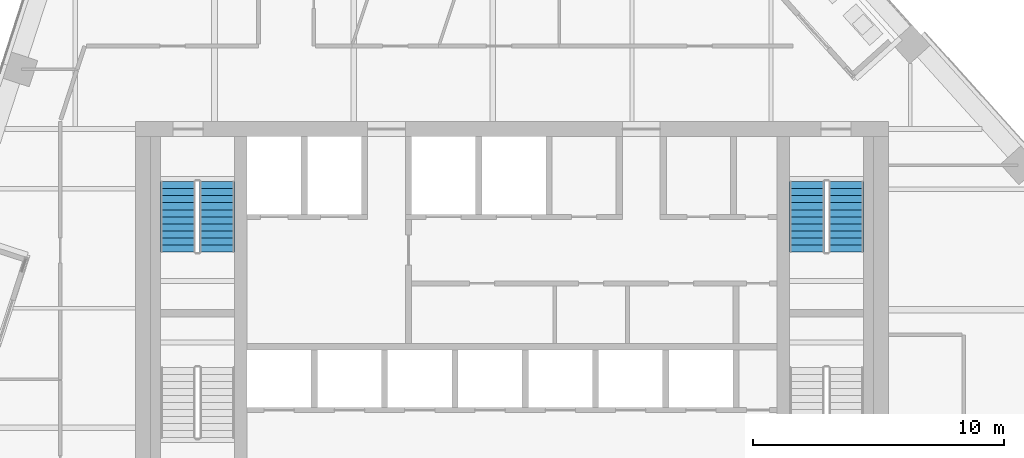
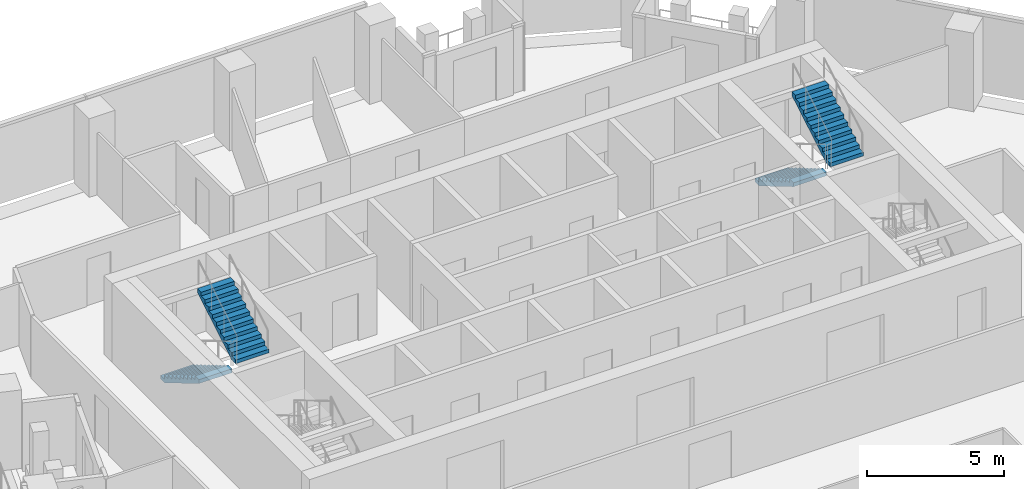
# One storey, part 18 of 24: 4 stair flights, 2 elements without a shape of their own.
"""IFC4 building model written with IfcOpenShell, lengths in metres."""

from ifc_helpers import new_model, si_unit, direction, frame, origin, place, context, subcontext, project, spatial, polyline, outline, extrude, material, type_object, element, aggregate, save


model = new_model("IFC4")

# Units and contexts
model_context = context("Model", 3, precision=1e-05, world=origin(), true_north=direction((0.0, 1.0)))
body_context = subcontext(model_context, "Body", "Model", "MODEL_VIEW")
ifc_project = project(units=[si_unit("LENGTHUNIT", "METRE"), si_unit("AREAUNIT", "SQUARE_METRE"), si_unit("VOLUMEUNIT", "CUBIC_METRE"), si_unit("PLANEANGLEUNIT", "RADIAN"), si_unit("MASSUNIT", "GRAM", prefix="KILO")], contexts=[model_context])

# Site, building, storey
site_placement = place(None, origin())
site = spatial("IfcSite", under=ifc_project, at=site_placement, CompositionType="ELEMENT")
building_placement = place(site_placement, origin())
building = spatial("IfcBuilding", under=site, at=building_placement, Name="Isthmus Gate Tower", CompositionType="ELEMENT")
storey_placement = place(building_placement, frame((0.0, 0.0, 219.949951171875)))
storey = spatial("IfcBuildingStorey", under=building, at=storey_placement, Name="L55", CompositionType="ELEMENT", Elevation=219.949951171875)

# Stair, stair flights
ifc_material_1 = material(Name="Concrete f'c 40 MPa", Category="concrete")
stair_type = type_object("IfcStairType", Name="CORE STAIR 22 RISERS", PredefinedType="HALF_TURN_STAIR", material=ifc_material_1)
stair_1_placement = place(storey_placement, origin())
stair_1 = element("IfcStair", 1, at=stair_1_placement, inside=storey, type_object=stair_type, Name="L55 Exit Stair 1", PredefinedType="HALF_TURN_STAIR")
ifc_material_2 = material(Name="Concrete f'c 40 MPa", Category="concrete")
stair_flight_type = type_object("IfcStairFlightType", Name="STAIR FLIGHT RC 1400", PredefinedType="STRAIGHT", material=ifc_material_2)
stair_flight_1_placement = place(storey_placement, frame((-13.300048828125, 12.60009765625, 0.0), z_axis=(0.0, 0.0, 1.0), x_axis=(0.0, -1.0, 0.0)))
stair_flight_1 = element("IfcStairFlight", 2, at=stair_flight_1_placement, type_object=stair_flight_type, Name="ST1 flight 1", NumberOfRisers=11, NumberOfTreads=10, PredefinedType="STRAIGHT", RiserHeight=0.165909091, TreadLength=0.28, context=body_context, shape_type="SweptSolid", body=[
    extrude(outline(polyline([(0.0, 0.0), (0.0, 0.166015625), (0.280029296875, 0.166015625), (0.280029296875, 0.331787109375), (0.56005859375, 0.331787109375), (0.56005859375, 0.497802734375), (0.840087890625, 0.497802734375), (0.840087890625, 0.66357421875), (1.1201171875, 0.66357421875), (1.1201171875, 0.82958984375), (1.39990234375, 0.82958984375), (1.39990234375, 0.995361328125), (1.679931640625, 0.995361328125), (1.679931640625, 1.161376953125), (1.9599609375, 1.161376953125), (1.9599609375, 1.327392578125), (2.239990234375, 1.327392578125), (2.239990234375, 1.4931640625), (2.52001953125, 1.4931640625), (2.52001953125, 1.6591796875), (2.800048828125, 1.6591796875), (2.800048828125, 1.824951171875), (2.800048828125, 1.48486328125), (0.2939453125, 0.0), (0.0, 0.0)])), frame((0.0, 0.699951171875, 0.0), z_axis=(0.0, -1.0, 0.0), x_axis=(1.0, 0.0, 0.0)), (0.0, 0.0, 1.0), 1.39990234375),
])
stair_flight_2_placement = place(storey_placement, frame((-11.75, 9.800048828125, 1.824951171875), z_axis=(0.0, 0.0, 1.0), x_axis=(0.0, 1.0, 0.0)))
stair_flight_2 = element("IfcStairFlight", 3, at=stair_flight_2_placement, type_object=stair_flight_type, Name="ST1 flight 2", NumberOfRisers=11, NumberOfTreads=10, PredefinedType="STRAIGHT", RiserHeight=0.165909091, TreadLength=0.28, context=body_context, shape_type="SweptSolid", body=[
    extrude(outline(polyline([(0.0, 0.0), (0.0, 0.166015625), (0.280029296875, 0.166015625), (0.280029296875, 0.331787109375), (0.56005859375, 0.331787109375), (0.56005859375, 0.497802734375), (0.840087890625, 0.497802734375), (0.840087890625, 0.66357421875), (1.1201171875, 0.66357421875), (1.1201171875, 0.82958984375), (1.39990234375, 0.82958984375), (1.39990234375, 0.995361328125), (1.679931640625, 0.995361328125), (1.679931640625, 1.161376953125), (1.9599609375, 1.161376953125), (1.9599609375, 1.327392578125), (2.239990234375, 1.327392578125), (2.239990234375, 1.4931640625), (2.52001953125, 1.4931640625), (2.52001953125, 1.6591796875), (2.800048828125, 1.6591796875), (2.800048828125, 1.824951171875), (2.800048828125, 1.48486328125), (0.2939453125, 0.0), (0.0, 0.0)])), frame((0.0, 0.699951171875, 0.0), z_axis=(0.0, -1.0, 0.0), x_axis=(1.0, 0.0, 0.0)), (0.0, 0.0, 1.0), 1.39990234375),
])
aggregate(stair_1, [stair_flight_1, stair_flight_2])

stair_2_placement = place(storey_placement, origin())
stair_2 = element("IfcStair", 4, at=stair_2_placement, inside=storey, type_object=stair_type, Name="L55 Exit Stair 2", PredefinedType="HALF_TURN_STAIR")
stair_flight_3_placement = place(storey_placement, frame((11.75, 12.60009765625, 0.0), z_axis=(0.0, 0.0, 1.0), x_axis=(0.0, -1.0, 0.0)))
stair_flight_3 = element("IfcStairFlight", 5, at=stair_flight_3_placement, type_object=stair_flight_type, Name="ST2 flight 1", NumberOfRisers=11, NumberOfTreads=10, PredefinedType="STRAIGHT", RiserHeight=0.165909091, TreadLength=0.28, context=body_context, shape_type="SweptSolid", body=[
    extrude(outline(polyline([(0.0, 0.0), (0.0, 0.166015625), (0.280029296875, 0.166015625), (0.280029296875, 0.331787109375), (0.56005859375, 0.331787109375), (0.56005859375, 0.497802734375), (0.840087890625, 0.497802734375), (0.840087890625, 0.66357421875), (1.1201171875, 0.66357421875), (1.1201171875, 0.82958984375), (1.39990234375, 0.82958984375), (1.39990234375, 0.995361328125), (1.679931640625, 0.995361328125), (1.679931640625, 1.161376953125), (1.9599609375, 1.161376953125), (1.9599609375, 1.327392578125), (2.239990234375, 1.327392578125), (2.239990234375, 1.4931640625), (2.52001953125, 1.4931640625), (2.52001953125, 1.6591796875), (2.800048828125, 1.6591796875), (2.800048828125, 1.824951171875), (2.800048828125, 1.48486328125), (0.2939453125, 0.0), (0.0, 0.0)])), frame((0.0, 0.699951171875, 0.0), z_axis=(0.0, -1.0, 0.0), x_axis=(1.0, 0.0, 0.0)), (0.0, 0.0, 1.0), 1.39990234375),
])
stair_flight_4_placement = place(storey_placement, frame((13.300048828125, 9.800048828125, 1.824951171875), z_axis=(0.0, 0.0, 1.0), x_axis=(0.0, 1.0, 0.0)))
stair_flight_4 = element("IfcStairFlight", 6, at=stair_flight_4_placement, type_object=stair_flight_type, Name="ST2 flight 2", NumberOfRisers=11, NumberOfTreads=10, PredefinedType="STRAIGHT", RiserHeight=0.165909091, TreadLength=0.28, context=body_context, shape_type="SweptSolid", body=[
    extrude(outline(polyline([(0.0, 0.0), (0.0, 0.166015625), (0.280029296875, 0.166015625), (0.280029296875, 0.331787109375), (0.56005859375, 0.331787109375), (0.56005859375, 0.497802734375), (0.840087890625, 0.497802734375), (0.840087890625, 0.66357421875), (1.1201171875, 0.66357421875), (1.1201171875, 0.82958984375), (1.39990234375, 0.82958984375), (1.39990234375, 0.995361328125), (1.679931640625, 0.995361328125), (1.679931640625, 1.161376953125), (1.9599609375, 1.161376953125), (1.9599609375, 1.327392578125), (2.239990234375, 1.327392578125), (2.239990234375, 1.4931640625), (2.52001953125, 1.4931640625), (2.52001953125, 1.6591796875), (2.800048828125, 1.6591796875), (2.800048828125, 1.824951171875), (2.800048828125, 1.48486328125), (0.2939453125, 0.0), (0.0, 0.0)])), frame((0.0, 0.699951171875, 0.0), z_axis=(0.0, -1.0, 0.0), x_axis=(1.0, 0.0, 0.0)), (0.0, 0.0, 1.0), 1.39990234375),
])
aggregate(stair_2, [stair_flight_3, stair_flight_4])

save(model, "model.ifc")
